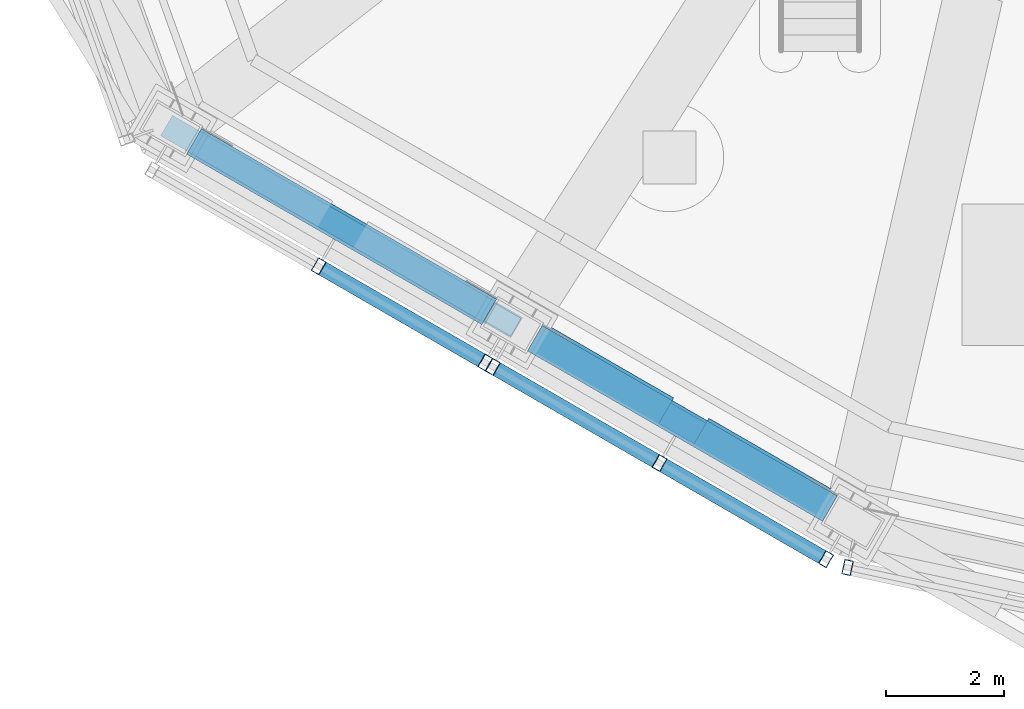
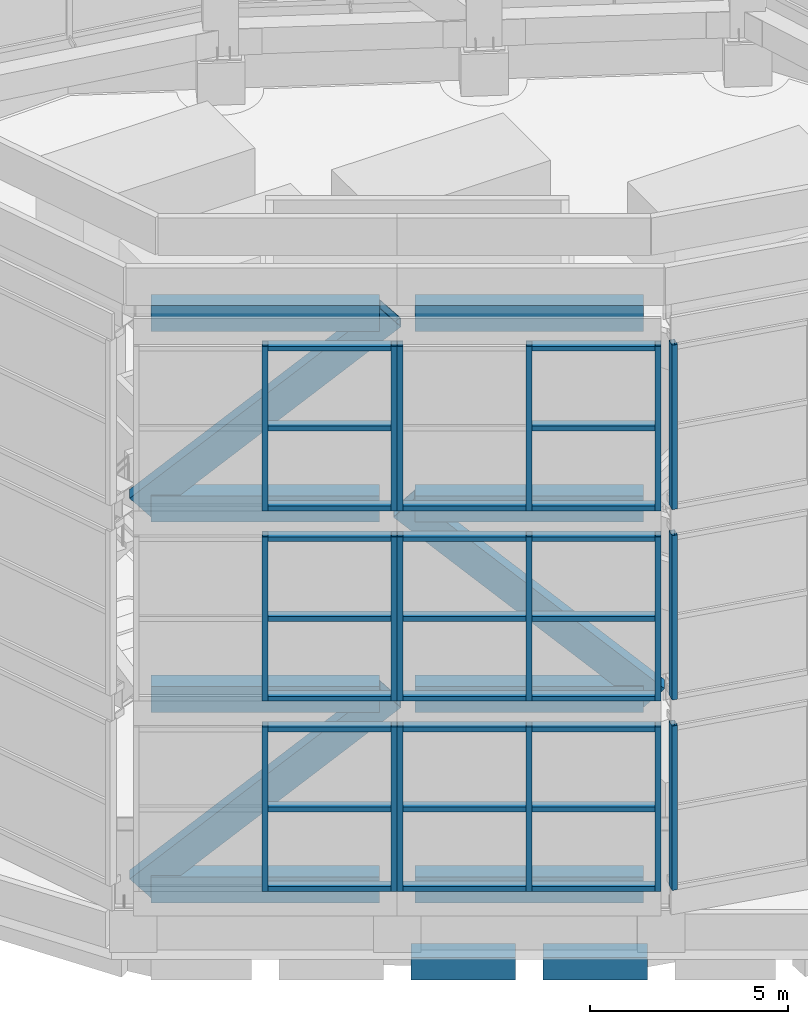
# One storey, part 2 of 46: 54 members, 2 beams, 9 elements without a shape of their own.
"""IFC4 building model written with IfcOpenShell, lengths in metres."""

from ifc_helpers import new_model, si_unit, direction, frame, origin, origin_2d, place, context, subcontext, project, spatial, rectangle, hollow_rectangle, extrude, material, material_profile, profile_set, type_object, element, aggregate, save


model = new_model("IFC4")

# Units and contexts
model_context = context("Model", 3, precision=1e-05, world=origin(), true_north=direction((0.0, 1.0)))
body_context = subcontext(model_context, "Body", "Model", "MODEL_VIEW")
ifc_project = project(units=[si_unit("LENGTHUNIT", "METRE"), si_unit("AREAUNIT", "SQUARE_METRE"), si_unit("VOLUMEUNIT", "CUBIC_METRE"), si_unit("PLANEANGLEUNIT", "RADIAN"), si_unit("MASSUNIT", "GRAM", prefix="KILO")], contexts=[model_context])

# Site, building, storey
site_placement = place(None, origin())
site = spatial("IfcSite", under=ifc_project, at=site_placement, CompositionType="ELEMENT")
building_placement = place(site_placement, origin())
building = spatial("IfcBuilding", under=site, at=building_placement, Name="Vanh Sen Convention Tower", CompositionType="ELEMENT")
storey_placement = place(building_placement, frame((0.0, 0.0, 305.0)))
storey = spatial("IfcBuildingStorey", under=building, at=storey_placement, Name="Roof level", CompositionType="ELEMENT", Elevation=305.0)

# Members
ifc_material_1 = material(Name="Steel S460", Category="steel")
ifc_material_profile_1 = material_profile(ifc_material_1, hollow_rectangle(XDim=0.39990234375, YDim=0.800048828125, WallThickness=0.02490234375, at=origin_2d()), Name="BOX 800X400X25")
ifc_profile_set_1 = profile_set([ifc_material_profile_1], Name="Steel S460")
member_type_1 = type_object("IfcMemberType", Name="Crown brace BOX 800X400X25", PredefinedType="BRACE", material=ifc_profile_set_1)
member_1_placement = place(storey_placement, frame((-15.779296875, -12.59814453125, 1.7451171875), z_axis=(0.633801071244, -0.365934709307, 0.681460190044), x_axis=(0.500009725469, 0.866019788709, 0.0)))
element("IfcMember", 1, at=member_1_placement, inside=storey, type_object=member_type_1, Name="CROWN FRAME brace tier 1 span 13", PredefinedType="BRACE", context=body_context, shape_type="SweptSolid", body=[
    extrude(hollow_rectangle(XDim=0.39990234375, YDim=0.800048828125, WallThickness=0.02490234375, at=origin_2d()), origin(), (0.0, 0.0, 1.0), 8.611083984375),
])
for number, where, z_axis, x_axis, name in (
    (2, (-10.0087890625, -15.929931640625, 13.481689453125), (0.633812363315, -0.365896509257, -0.681470199365), (0.49996389635, 0.866046247233, 0.0), "CROWN FRAME brace tier 2 span 14"),
    (3, (-15.779296875, -12.59814453125, 13.481689453125), (0.633788825979, -0.365927639316, 0.681475375086), (0.500009725469, 0.866019788709, 0.0), "CROWN FRAME brace tier 3 span 13"),
):
    element("IfcMember", number, at=place(storey_placement, frame(where, z_axis=z_axis, x_axis=x_axis)), inside=storey, type_object=member_type_1, Name=name, PredefinedType="BRACE", context=body_context, shape_type="SweptSolid", body=[
        extrude(hollow_rectangle(XDim=0.39990234375, YDim=0.800048828125, WallThickness=0.02490234375, at=origin_2d()), origin(), (0.0, 0.0, 1.0), 8.611328125),
    ])
ifc_material_profile_2 = material_profile(ifc_material_1, hollow_rectangle(XDim=0.5, YDim=0.800048828125, WallThickness=0.030029296875, at=origin_2d()), Name="BOX 800X500X30")
ifc_profile_set_2 = profile_set([ifc_material_profile_2], Name="Steel S460")
member_type_2 = type_object("IfcMemberType", Name="Crown ring beam BOX 800X500X30", PredefinedType="CHORD", material=ifc_profile_set_2)
member_2_placement = place(storey_placement, frame((-15.55029296875, -12.73046875, 1.7451171875), z_axis=(0.866017276446, -0.500014076698, 0.0), x_axis=(0.500014076698, 0.866017276446, 0.0)))
element("IfcMember", 4, at=member_2_placement, inside=storey, type_object=member_type_2, Name="CROWN FRAME ring beam 1 span 13", PredefinedType="CHORD", context=body_context, shape_type="SweptSolid", body=[
    extrude(hollow_rectangle(XDim=0.5, YDim=0.800048828125, WallThickness=0.030029296875, at=origin_2d()), origin(), (0.0, 0.0, 1.0), 5.773193359375),
])
member_3_placement = place(storey_placement, frame((-9.77978515625, -16.06201171875, 1.7451171875), z_axis=(0.866027848477, -0.499995765644, 0.0), x_axis=(0.499995765644, 0.866027848477, 0.0)))
element("IfcMember", 5, at=member_3_placement, inside=storey, type_object=member_type_2, Name="CROWN FRAME ring beam 1 span 14", PredefinedType="CHORD", context=body_context, shape_type="SweptSolid", body=[
    extrude(hollow_rectangle(XDim=0.5, YDim=0.800048828125, WallThickness=0.030029296875, at=origin_2d()), origin(), (0.0, 0.0, 1.0), 5.7734375),
])
member_4_placement = place(storey_placement, frame((-15.55029296875, -12.73046875, 7.61328125), z_axis=(0.866017276446, -0.500014076698, 0.0), x_axis=(0.500014076698, 0.866017276446, 0.0)))
element("IfcMember", 6, at=member_4_placement, inside=storey, type_object=member_type_2, Name="CROWN FRAME ring beam 2 span 13", PredefinedType="CHORD", context=body_context, shape_type="SweptSolid", body=[
    extrude(hollow_rectangle(XDim=0.5, YDim=0.800048828125, WallThickness=0.030029296875, at=origin_2d()), origin(), (0.0, 0.0, 1.0), 5.773193359375),
])
member_5_placement = place(storey_placement, frame((-9.77978515625, -16.06201171875, 7.61328125), z_axis=(0.866027848477, -0.499995765644, 0.0), x_axis=(0.499995765644, 0.866027848477, 0.0)))
element("IfcMember", 7, at=member_5_placement, inside=storey, type_object=member_type_2, Name="CROWN FRAME ring beam 2 span 14", PredefinedType="CHORD", context=body_context, shape_type="SweptSolid", body=[
    extrude(hollow_rectangle(XDim=0.5, YDim=0.800048828125, WallThickness=0.030029296875, at=origin_2d()), origin(), (0.0, 0.0, 1.0), 5.7734375),
])
member_6_placement = place(storey_placement, frame((-15.55029296875, -12.73046875, 13.481689453125), z_axis=(0.866017276446, -0.500014076698, 0.0), x_axis=(0.500014076698, 0.866017276446, 0.0)))
element("IfcMember", 8, at=member_6_placement, inside=storey, type_object=member_type_2, Name="CROWN FRAME ring beam 3 span 13", PredefinedType="CHORD", context=body_context, shape_type="SweptSolid", body=[
    extrude(hollow_rectangle(XDim=0.5, YDim=0.800048828125, WallThickness=0.030029296875, at=origin_2d()), origin(), (0.0, 0.0, 1.0), 5.773193359375),
])
member_7_placement = place(storey_placement, frame((-9.77978515625, -16.06201171875, 13.481689453125), z_axis=(0.866027848477, -0.499995765644, 0.0), x_axis=(0.499995765644, 0.866027848477, 0.0)))
element("IfcMember", 9, at=member_7_placement, inside=storey, type_object=member_type_2, Name="CROWN FRAME ring beam 3 span 14", PredefinedType="CHORD", context=body_context, shape_type="SweptSolid", body=[
    extrude(hollow_rectangle(XDim=0.5, YDim=0.800048828125, WallThickness=0.030029296875, at=origin_2d()), origin(), (0.0, 0.0, 1.0), 5.7734375),
])
member_8_placement = place(storey_placement, frame((-15.55029296875, -12.73046875, 19.35009765625), z_axis=(0.866017276446, -0.500014076698, 0.0), x_axis=(0.500014076698, 0.866017276446, 0.0)))
element("IfcMember", 10, at=member_8_placement, inside=storey, type_object=member_type_2, Name="CROWN FRAME ring beam 4 span 13", PredefinedType="CHORD", context=body_context, shape_type="SweptSolid", body=[
    extrude(hollow_rectangle(XDim=0.5, YDim=0.800048828125, WallThickness=0.030029296875, at=origin_2d()), origin(), (0.0, 0.0, 1.0), 5.773193359375),
])
member_9_placement = place(storey_placement, frame((-9.77978515625, -16.06201171875, 19.35009765625), z_axis=(0.866027848477, -0.499995765644, 0.0), x_axis=(0.499995765644, 0.866027848477, 0.0)))
element("IfcMember", 11, at=member_9_placement, inside=storey, type_object=member_type_2, Name="CROWN FRAME ring beam 4 span 14", PredefinedType="CHORD", context=body_context, shape_type="SweptSolid", body=[
    extrude(hollow_rectangle(XDim=0.5, YDim=0.800048828125, WallThickness=0.030029296875, at=origin_2d()), origin(), (0.0, 0.0, 1.0), 5.7734375),
])

# Curtain wall, members
ifc_material_2 = material(Name="Concrete C60/75", Category="concrete")
curtain_wall_type = type_object("IfcCurtainWallType", Name="Crown screen", PredefinedType="NOTDEFINED", material=ifc_material_2)
curtain_wall_1_placement = place(storey_placement, origin())
curtain_wall_1 = element("IfcCurtainWall", 12, at=curtain_wall_1_placement, inside=storey, type_object=curtain_wall_type, Name="CROWN SCREEN 13 tier 1", PredefinedType="NOTDEFINED")
ifc_material_3 = material(Name="Steel S355", Category="steel")
ifc_material_profile_3 = material_profile(ifc_material_3, hollow_rectangle(XDim=0.25, YDim=0.14990234375, WallThickness=0.008056640625, at=origin_2d()), Name="RHS 250X150X8")
ifc_profile_set_3 = profile_set([ifc_material_profile_3], Name="Steel S355")
member_type_3 = type_object("IfcMemberType", Name="Crown screen mullion RHS 250X150X8", PredefinedType="MULLION", material=ifc_profile_set_3)
member_10_placement = place(storey_placement, frame((-13.43798828125, -14.844970703125, 2.14501953125), z_axis=(0.0, 0.0, 1.0), x_axis=(0.500004787758, 0.866022639554, 0.0)))
member_10 = element("IfcMember", 13, at=member_10_placement, type_object=member_type_3, Name="CROWN SCREEN6 mullion 2", PredefinedType="MULLION", context=body_context, shape_type="SweptSolid", body=[
    extrude(hollow_rectangle(XDim=0.25, YDim=0.14990234375, WallThickness=0.008056640625, at=origin_2d()), origin(), (0.0, 0.0, 1.0), 5.068359375),
])
member_11_placement = place(storey_placement, frame((-10.617431640625, -16.473388671875, 2.14501953125), z_axis=(0.0, 0.0, 1.0), x_axis=(0.500004787758, 0.866022639554, 0.0)))
member_11 = element("IfcMember", 14, at=member_11_placement, type_object=member_type_3, Name="CROWN SCREEN6 mullion 3", PredefinedType="MULLION", context=body_context, shape_type="SweptSolid", body=[
    extrude(hollow_rectangle(XDim=0.25, YDim=0.14990234375, WallThickness=0.008056640625, at=origin_2d()), origin(), (0.0, 0.0, 1.0), 5.068359375),
])

curtain_wall_2_placement = place(storey_placement, origin())
curtain_wall_2 = element("IfcCurtainWall", 15, at=curtain_wall_2_placement, inside=storey, type_object=curtain_wall_type, Name="CROWN SCREEN 13 tier 2", PredefinedType="NOTDEFINED")
member_12_placement = place(storey_placement, frame((-13.43798828125, -14.844970703125, 8.01318359375), z_axis=(0.0, 0.0, 1.0), x_axis=(0.500004787758, 0.866022639554, 0.0)))
member_12 = element("IfcMember", 16, at=member_12_placement, type_object=member_type_3, Name="CROWN SCREEN6 mullion 2", PredefinedType="MULLION", context=body_context, shape_type="SweptSolid", body=[
    extrude(hollow_rectangle(XDim=0.25, YDim=0.14990234375, WallThickness=0.008056640625, at=origin_2d()), origin(), (0.0, 0.0, 1.0), 5.068603515625),
])
member_13_placement = place(storey_placement, frame((-10.617431640625, -16.473388671875, 8.01318359375), z_axis=(0.0, 0.0, 1.0), x_axis=(0.500004787758, 0.866022639554, 0.0)))
member_13 = element("IfcMember", 17, at=member_13_placement, type_object=member_type_3, Name="CROWN SCREEN6 mullion 3", PredefinedType="MULLION", context=body_context, shape_type="SweptSolid", body=[
    extrude(hollow_rectangle(XDim=0.25, YDim=0.14990234375, WallThickness=0.008056640625, at=origin_2d()), origin(), (0.0, 0.0, 1.0), 5.068603515625),
])

curtain_wall_3_placement = place(storey_placement, origin())
curtain_wall_3 = element("IfcCurtainWall", 18, at=curtain_wall_3_placement, inside=storey, type_object=curtain_wall_type, Name="CROWN SCREEN 13 tier 3", PredefinedType="NOTDEFINED")
member_14_placement = place(storey_placement, frame((-13.43798828125, -14.844970703125, 13.881591796875), z_axis=(0.0, 0.0, 1.0), x_axis=(0.500004787758, 0.866022639554, 0.0)))
member_14 = element("IfcMember", 19, at=member_14_placement, type_object=member_type_3, Name="CROWN SCREEN6 mullion 2", PredefinedType="MULLION", context=body_context, shape_type="SweptSolid", body=[
    extrude(hollow_rectangle(XDim=0.25, YDim=0.14990234375, WallThickness=0.008056640625, at=origin_2d()), origin(), (0.0, 0.0, 1.0), 5.068359375),
])
member_15_placement = place(storey_placement, frame((-10.617431640625, -16.473388671875, 13.881591796875), z_axis=(0.0, 0.0, 1.0), x_axis=(0.500004787758, 0.866022639554, 0.0)))
member_15 = element("IfcMember", 20, at=member_15_placement, type_object=member_type_3, Name="CROWN SCREEN6 mullion 3", PredefinedType="MULLION", context=body_context, shape_type="SweptSolid", body=[
    extrude(hollow_rectangle(XDim=0.25, YDim=0.14990234375, WallThickness=0.008056640625, at=origin_2d()), origin(), (0.0, 0.0, 1.0), 5.068359375),
])

curtain_wall_4_placement = place(storey_placement, origin())
curtain_wall_4 = element("IfcCurtainWall", 21, at=curtain_wall_4_placement, inside=storey, type_object=curtain_wall_type, Name="CROWN SCREEN 14 tier 1", PredefinedType="NOTDEFINED")
member_16_placement = place(storey_placement, frame((-10.487548828125, -16.54833984375, 2.14501953125), z_axis=(0.0, 0.0, 1.0), x_axis=(0.499993532068, 0.866029138014, 0.0)))
member_16 = element("IfcMember", 22, at=member_16_placement, type_object=member_type_3, Name="CROWN SCREEN6 mullion 1", PredefinedType="MULLION", context=body_context, shape_type="SweptSolid", body=[
    extrude(hollow_rectangle(XDim=0.25, YDim=0.14990234375, WallThickness=0.008056640625, at=origin_2d()), origin(), (0.0, 0.0, 1.0), 5.068359375),
])
member_17_placement = place(storey_placement, frame((-7.667236328125, -18.176513671875, 2.14501953125), z_axis=(0.0, 0.0, 1.0), x_axis=(0.499993532068, 0.866029138014, 0.0)))
member_17 = element("IfcMember", 23, at=member_17_placement, type_object=member_type_3, Name="CROWN SCREEN6 mullion 2", PredefinedType="MULLION", context=body_context, shape_type="SweptSolid", body=[
    extrude(hollow_rectangle(XDim=0.25, YDim=0.14990234375, WallThickness=0.008056640625, at=origin_2d()), origin(), (0.0, 0.0, 1.0), 5.068359375),
])
member_18_placement = place(storey_placement, frame((-4.846923828125, -19.804931640625, 2.14501953125), z_axis=(0.0, 0.0, 1.0), x_axis=(0.499993532068, 0.866029138014, 0.0)))
member_18 = element("IfcMember", 24, at=member_18_placement, type_object=member_type_3, Name="CROWN SCREEN6 mullion 3", PredefinedType="MULLION", context=body_context, shape_type="SweptSolid", body=[
    extrude(hollow_rectangle(XDim=0.25, YDim=0.14990234375, WallThickness=0.008056640625, at=origin_2d()), origin(), (0.0, 0.0, 1.0), 5.068359375),
])

curtain_wall_5_placement = place(storey_placement, origin())
curtain_wall_5 = element("IfcCurtainWall", 25, at=curtain_wall_5_placement, inside=storey, type_object=curtain_wall_type, Name="CROWN SCREEN 14 tier 2", PredefinedType="NOTDEFINED")
member_19_placement = place(storey_placement, frame((-10.487548828125, -16.54833984375, 8.01318359375), z_axis=(0.0, 0.0, 1.0), x_axis=(0.499993532068, 0.866029138014, 0.0)))
member_19 = element("IfcMember", 26, at=member_19_placement, type_object=member_type_3, Name="CROWN SCREEN6 mullion 1", PredefinedType="MULLION", context=body_context, shape_type="SweptSolid", body=[
    extrude(hollow_rectangle(XDim=0.25, YDim=0.14990234375, WallThickness=0.008056640625, at=origin_2d()), origin(), (0.0, 0.0, 1.0), 5.068603515625),
])
member_20_placement = place(storey_placement, frame((-7.667236328125, -18.176513671875, 8.01318359375), z_axis=(0.0, 0.0, 1.0), x_axis=(0.499993532068, 0.866029138014, 0.0)))
member_20 = element("IfcMember", 27, at=member_20_placement, type_object=member_type_3, Name="CROWN SCREEN6 mullion 2", PredefinedType="MULLION", context=body_context, shape_type="SweptSolid", body=[
    extrude(hollow_rectangle(XDim=0.25, YDim=0.14990234375, WallThickness=0.008056640625, at=origin_2d()), origin(), (0.0, 0.0, 1.0), 5.068603515625),
])
member_21_placement = place(storey_placement, frame((-4.846923828125, -19.804931640625, 8.01318359375), z_axis=(0.0, 0.0, 1.0), x_axis=(0.499993532068, 0.866029138014, 0.0)))
member_21 = element("IfcMember", 28, at=member_21_placement, type_object=member_type_3, Name="CROWN SCREEN6 mullion 3", PredefinedType="MULLION", context=body_context, shape_type="SweptSolid", body=[
    extrude(hollow_rectangle(XDim=0.25, YDim=0.14990234375, WallThickness=0.008056640625, at=origin_2d()), origin(), (0.0, 0.0, 1.0), 5.068603515625),
])

curtain_wall_6_placement = place(storey_placement, origin())
curtain_wall_6 = element("IfcCurtainWall", 29, at=curtain_wall_6_placement, inside=storey, type_object=curtain_wall_type, Name="CROWN SCREEN 14 tier 3", PredefinedType="NOTDEFINED")
member_22_placement = place(storey_placement, frame((-10.487548828125, -16.54833984375, 13.881591796875), z_axis=(0.0, 0.0, 1.0), x_axis=(0.499993532068, 0.866029138014, 0.0)))
member_22 = element("IfcMember", 30, at=member_22_placement, type_object=member_type_3, Name="CROWN SCREEN6 mullion 1", PredefinedType="MULLION", context=body_context, shape_type="SweptSolid", body=[
    extrude(hollow_rectangle(XDim=0.25, YDim=0.14990234375, WallThickness=0.008056640625, at=origin_2d()), origin(), (0.0, 0.0, 1.0), 5.068359375),
])
member_23_placement = place(storey_placement, frame((-7.667236328125, -18.176513671875, 13.881591796875), z_axis=(0.0, 0.0, 1.0), x_axis=(0.499993532068, 0.866029138014, 0.0)))
member_23 = element("IfcMember", 31, at=member_23_placement, type_object=member_type_3, Name="CROWN SCREEN6 mullion 2", PredefinedType="MULLION", context=body_context, shape_type="SweptSolid", body=[
    extrude(hollow_rectangle(XDim=0.25, YDim=0.14990234375, WallThickness=0.008056640625, at=origin_2d()), origin(), (0.0, 0.0, 1.0), 5.068359375),
])
member_24_placement = place(storey_placement, frame((-4.846923828125, -19.804931640625, 13.881591796875), z_axis=(0.0, 0.0, 1.0), x_axis=(0.499993532068, 0.866029138014, 0.0)))
member_24 = element("IfcMember", 32, at=member_24_placement, type_object=member_type_3, Name="CROWN SCREEN6 mullion 3", PredefinedType="MULLION", context=body_context, shape_type="SweptSolid", body=[
    extrude(hollow_rectangle(XDim=0.25, YDim=0.14990234375, WallThickness=0.008056640625, at=origin_2d()), origin(), (0.0, 0.0, 1.0), 5.068359375),
])

# Curtain wall, member
curtain_wall_7_placement = place(storey_placement, origin())
curtain_wall_7 = element("IfcCurtainWall", 33, at=curtain_wall_7_placement, inside=storey, type_object=curtain_wall_type, Name="CROWN SCREEN 15 tier 1", PredefinedType="NOTDEFINED")
member_25_placement = place(storey_placement, frame((-4.4833984375, -19.944580078125, 2.14501953125), z_axis=(0.0, 0.0, 1.0), x_axis=(0.209235808418, 0.977865213859, 0.0)))
member_25 = element("IfcMember", 34, at=member_25_placement, type_object=member_type_3, Name="CROWN SCREEN6 mullion 1", PredefinedType="MULLION", context=body_context, shape_type="SweptSolid", body=[
    extrude(hollow_rectangle(XDim=0.25, YDim=0.14990234375, WallThickness=0.008056640625, at=origin_2d()), origin(), (0.0, 0.0, 1.0), 5.068359375),
])
aggregate(curtain_wall_7, [member_25])

curtain_wall_8_placement = place(storey_placement, origin())
curtain_wall_8 = element("IfcCurtainWall", 35, at=curtain_wall_8_placement, inside=storey, type_object=curtain_wall_type, Name="CROWN SCREEN 15 tier 2", PredefinedType="NOTDEFINED")
member_26_placement = place(storey_placement, frame((-4.4833984375, -19.944580078125, 8.01318359375), z_axis=(0.0, 0.0, 1.0), x_axis=(0.209235808418, 0.977865213859, 0.0)))
member_26 = element("IfcMember", 36, at=member_26_placement, type_object=member_type_3, Name="CROWN SCREEN6 mullion 1", PredefinedType="MULLION", context=body_context, shape_type="SweptSolid", body=[
    extrude(hollow_rectangle(XDim=0.25, YDim=0.14990234375, WallThickness=0.008056640625, at=origin_2d()), origin(), (0.0, 0.0, 1.0), 5.068603515625),
])
aggregate(curtain_wall_8, [member_26])

curtain_wall_9_placement = place(storey_placement, origin())
curtain_wall_9 = element("IfcCurtainWall", 37, at=curtain_wall_9_placement, inside=storey, type_object=curtain_wall_type, Name="CROWN SCREEN 15 tier 3", PredefinedType="NOTDEFINED")
member_27_placement = place(storey_placement, frame((-4.4833984375, -19.944580078125, 13.881591796875), z_axis=(0.0, 0.0, 1.0), x_axis=(0.209235808418, 0.977865213859, 0.0)))
member_27 = element("IfcMember", 38, at=member_27_placement, type_object=member_type_3, Name="CROWN SCREEN6 mullion 1", PredefinedType="MULLION", context=body_context, shape_type="SweptSolid", body=[
    extrude(hollow_rectangle(XDim=0.25, YDim=0.14990234375, WallThickness=0.008056640625, at=origin_2d()), origin(), (0.0, 0.0, 1.0), 5.068359375),
])
aggregate(curtain_wall_9, [member_27])

# Member
ifc_material_profile_4 = material_profile(ifc_material_3, hollow_rectangle(XDim=0.25, YDim=0.14990234375, WallThickness=0.008056640625, at=origin_2d()), Name="RHS 250X150X8")
ifc_profile_set_4 = profile_set([ifc_material_profile_4], Name="Steel S355")
member_type_4 = type_object("IfcMemberType", Name="Crown screen transom RHS 250X150X8", PredefinedType="USERDEFINED", material=ifc_profile_set_4)
member_28_placement = place(storey_placement, frame((-13.373046875, -14.882568359375, 2.219970703125), z_axis=(0.866039014152, -0.499976425411, 0.0), x_axis=(0.499976425411, 0.866039014152, 0.0)))
member_28 = element("IfcMember", 39, at=member_28_placement, type_object=member_type_4, Name="CROWN SCREEN6 transom 2.1", ObjectType="TRANSOM", PredefinedType="USERDEFINED", context=body_context, shape_type="SweptSolid", body=[
    extrude(hollow_rectangle(XDim=0.25, YDim=0.14990234375, WallThickness=0.008056640625, at=origin_2d()), origin(), (0.0, 0.0, 1.0), 3.106689453125),
])

member_29_placement = place(storey_placement, frame((-13.373046875, -14.882568359375, 4.67919921875), z_axis=(0.866039014152, -0.499976425411, 0.0), x_axis=(0.499976425411, 0.866039014152, 0.0)))
member_29 = element("IfcMember", 40, at=member_29_placement, type_object=member_type_4, Name="CROWN SCREEN6 transom 2.2", ObjectType="TRANSOM", PredefinedType="USERDEFINED", context=body_context, shape_type="SweptSolid", body=[
    extrude(hollow_rectangle(XDim=0.25, YDim=0.14990234375, WallThickness=0.008056640625, at=origin_2d()), origin(), (0.0, 0.0, 1.0), 3.106689453125),
])

member_30_placement = place(storey_placement, frame((-13.373046875, -14.882568359375, 7.13818359375), z_axis=(0.866039014152, -0.499976425411, 0.0), x_axis=(0.499976425411, 0.866039014152, 0.0)))
member_30 = element("IfcMember", 41, at=member_30_placement, type_object=member_type_4, Name="CROWN SCREEN6 transom 2.3", ObjectType="TRANSOM", PredefinedType="USERDEFINED", context=body_context, shape_type="SweptSolid", body=[
    extrude(hollow_rectangle(XDim=0.25, YDim=0.14990234375, WallThickness=0.008056640625, at=origin_2d()), origin(), (0.0, 0.0, 1.0), 3.106689453125),
])

aggregate(curtain_wall_1, [member_10, member_11, member_28, member_29, member_30])

member_31_placement = place(storey_placement, frame((-13.373046875, -14.882568359375, 8.08837890625), z_axis=(0.866039014152, -0.499976425411, 0.0), x_axis=(0.499976425411, 0.866039014152, 0.0)))
member_31 = element("IfcMember", 42, at=member_31_placement, type_object=member_type_4, Name="CROWN SCREEN6 transom 2.1", ObjectType="TRANSOM", PredefinedType="USERDEFINED", context=body_context, shape_type="SweptSolid", body=[
    extrude(hollow_rectangle(XDim=0.25, YDim=0.14990234375, WallThickness=0.008056640625, at=origin_2d()), origin(), (0.0, 0.0, 1.0), 3.106689453125),
])

member_32_placement = place(storey_placement, frame((-13.373046875, -14.882568359375, 10.547607421875), z_axis=(0.866039014152, -0.499976425411, 0.0), x_axis=(0.499976425411, 0.866039014152, 0.0)))
member_32 = element("IfcMember", 43, at=member_32_placement, type_object=member_type_4, Name="CROWN SCREEN6 transom 2.2", ObjectType="TRANSOM", PredefinedType="USERDEFINED", context=body_context, shape_type="SweptSolid", body=[
    extrude(hollow_rectangle(XDim=0.25, YDim=0.14990234375, WallThickness=0.008056640625, at=origin_2d()), origin(), (0.0, 0.0, 1.0), 3.106689453125),
])

member_33_placement = place(storey_placement, frame((-13.373046875, -14.882568359375, 13.006591796875), z_axis=(0.866039014152, -0.499976425411, 0.0), x_axis=(0.499976425411, 0.866039014152, 0.0)))
member_33 = element("IfcMember", 44, at=member_33_placement, type_object=member_type_4, Name="CROWN SCREEN6 transom 2.3", ObjectType="TRANSOM", PredefinedType="USERDEFINED", context=body_context, shape_type="SweptSolid", body=[
    extrude(hollow_rectangle(XDim=0.25, YDim=0.14990234375, WallThickness=0.008056640625, at=origin_2d()), origin(), (0.0, 0.0, 1.0), 3.106689453125),
])

aggregate(curtain_wall_2, [member_12, member_13, member_31, member_32, member_33])

member_34_placement = place(storey_placement, frame((-13.373046875, -14.882568359375, 13.956787109375), z_axis=(0.866039014152, -0.499976425411, 0.0), x_axis=(0.499976425411, 0.866039014152, 0.0)))
member_34 = element("IfcMember", 45, at=member_34_placement, type_object=member_type_4, Name="CROWN SCREEN6 transom 2.1", ObjectType="TRANSOM", PredefinedType="USERDEFINED", context=body_context, shape_type="SweptSolid", body=[
    extrude(hollow_rectangle(XDim=0.25, YDim=0.14990234375, WallThickness=0.008056640625, at=origin_2d()), origin(), (0.0, 0.0, 1.0), 3.106689453125),
])

member_35_placement = place(storey_placement, frame((-13.373046875, -14.882568359375, 16.415771484375), z_axis=(0.866039014152, -0.499976425411, 0.0), x_axis=(0.499976425411, 0.866039014152, 0.0)))
member_35 = element("IfcMember", 46, at=member_35_placement, type_object=member_type_4, Name="CROWN SCREEN6 transom 2.2", ObjectType="TRANSOM", PredefinedType="USERDEFINED", context=body_context, shape_type="SweptSolid", body=[
    extrude(hollow_rectangle(XDim=0.25, YDim=0.14990234375, WallThickness=0.008056640625, at=origin_2d()), origin(), (0.0, 0.0, 1.0), 3.106689453125),
])

member_36_placement = place(storey_placement, frame((-13.373046875, -14.882568359375, 18.875), z_axis=(0.866039014152, -0.499976425411, 0.0), x_axis=(0.499976425411, 0.866039014152, 0.0)))
member_36 = element("IfcMember", 47, at=member_36_placement, type_object=member_type_4, Name="CROWN SCREEN6 transom 2.3", ObjectType="TRANSOM", PredefinedType="USERDEFINED", context=body_context, shape_type="SweptSolid", body=[
    extrude(hollow_rectangle(XDim=0.25, YDim=0.14990234375, WallThickness=0.008056640625, at=origin_2d()), origin(), (0.0, 0.0, 1.0), 3.106689453125),
])

aggregate(curtain_wall_3, [member_14, member_15, member_34, member_35, member_36])

member_37_placement = place(storey_placement, frame((-10.422607421875, -16.585693359375, 2.219970703125), z_axis=(0.86600498498, -0.500035364739, 0.0), x_axis=(0.500035364739, 0.86600498498, 0.0)))
member_37 = element("IfcMember", 48, at=member_37_placement, type_object=member_type_4, Name="CROWN SCREEN6 transom 1.1", ObjectType="TRANSOM", PredefinedType="USERDEFINED", context=body_context, shape_type="SweptSolid", body=[
    extrude(hollow_rectangle(XDim=0.25, YDim=0.14990234375, WallThickness=0.008056640625, at=origin_2d()), origin(), (0.0, 0.0, 1.0), 3.106689453125),
])

member_38_placement = place(storey_placement, frame((-10.422607421875, -16.585693359375, 4.67919921875), z_axis=(0.86600498498, -0.500035364739, 0.0), x_axis=(0.500035364739, 0.86600498498, 0.0)))
member_38 = element("IfcMember", 49, at=member_38_placement, type_object=member_type_4, Name="CROWN SCREEN6 transom 1.2", ObjectType="TRANSOM", PredefinedType="USERDEFINED", context=body_context, shape_type="SweptSolid", body=[
    extrude(hollow_rectangle(XDim=0.25, YDim=0.14990234375, WallThickness=0.008056640625, at=origin_2d()), origin(), (0.0, 0.0, 1.0), 3.106689453125),
])

member_39_placement = place(storey_placement, frame((-10.422607421875, -16.585693359375, 7.13818359375), z_axis=(0.86600498498, -0.500035364739, 0.0), x_axis=(0.500035364739, 0.86600498498, 0.0)))
member_39 = element("IfcMember", 50, at=member_39_placement, type_object=member_type_4, Name="CROWN SCREEN6 transom 1.3", ObjectType="TRANSOM", PredefinedType="USERDEFINED", context=body_context, shape_type="SweptSolid", body=[
    extrude(hollow_rectangle(XDim=0.25, YDim=0.14990234375, WallThickness=0.008056640625, at=origin_2d()), origin(), (0.0, 0.0, 1.0), 3.106689453125),
])

member_40_placement = place(storey_placement, frame((-7.602294921875, -18.214111328125, 2.219970703125), z_axis=(0.866039014152, -0.499976425411, 0.0), x_axis=(0.499976425411, 0.866039014152, 0.0)))
member_40 = element("IfcMember", 51, at=member_40_placement, type_object=member_type_4, Name="CROWN SCREEN6 transom 2.1", ObjectType="TRANSOM", PredefinedType="USERDEFINED", context=body_context, shape_type="SweptSolid", body=[
    extrude(hollow_rectangle(XDim=0.25, YDim=0.14990234375, WallThickness=0.008056640625, at=origin_2d()), origin(), (0.0, 0.0, 1.0), 3.106689453125),
])

member_41_placement = place(storey_placement, frame((-7.602294921875, -18.214111328125, 4.67919921875), z_axis=(0.866039014152, -0.499976425411, 0.0), x_axis=(0.499976425411, 0.866039014152, 0.0)))
member_41 = element("IfcMember", 52, at=member_41_placement, type_object=member_type_4, Name="CROWN SCREEN6 transom 2.2", ObjectType="TRANSOM", PredefinedType="USERDEFINED", context=body_context, shape_type="SweptSolid", body=[
    extrude(hollow_rectangle(XDim=0.25, YDim=0.14990234375, WallThickness=0.008056640625, at=origin_2d()), origin(), (0.0, 0.0, 1.0), 3.106689453125),
])

member_42_placement = place(storey_placement, frame((-7.602294921875, -18.214111328125, 7.13818359375), z_axis=(0.866039014152, -0.499976425411, 0.0), x_axis=(0.499976425411, 0.866039014152, 0.0)))
member_42 = element("IfcMember", 53, at=member_42_placement, type_object=member_type_4, Name="CROWN SCREEN6 transom 2.3", ObjectType="TRANSOM", PredefinedType="USERDEFINED", context=body_context, shape_type="SweptSolid", body=[
    extrude(hollow_rectangle(XDim=0.25, YDim=0.14990234375, WallThickness=0.008056640625, at=origin_2d()), origin(), (0.0, 0.0, 1.0), 3.106689453125),
])

aggregate(curtain_wall_4, [member_16, member_17, member_18, member_37, member_38, member_39, member_40, member_41, member_42])

member_43_placement = place(storey_placement, frame((-10.422607421875, -16.585693359375, 8.08837890625), z_axis=(0.86600498498, -0.500035364739, 0.0), x_axis=(0.500035364739, 0.86600498498, 0.0)))
member_43 = element("IfcMember", 54, at=member_43_placement, type_object=member_type_4, Name="CROWN SCREEN6 transom 1.1", ObjectType="TRANSOM", PredefinedType="USERDEFINED", context=body_context, shape_type="SweptSolid", body=[
    extrude(hollow_rectangle(XDim=0.25, YDim=0.14990234375, WallThickness=0.008056640625, at=origin_2d()), origin(), (0.0, 0.0, 1.0), 3.106689453125),
])

member_44_placement = place(storey_placement, frame((-10.422607421875, -16.585693359375, 10.547607421875), z_axis=(0.86600498498, -0.500035364739, 0.0), x_axis=(0.500035364739, 0.86600498498, 0.0)))
member_44 = element("IfcMember", 55, at=member_44_placement, type_object=member_type_4, Name="CROWN SCREEN6 transom 1.2", ObjectType="TRANSOM", PredefinedType="USERDEFINED", context=body_context, shape_type="SweptSolid", body=[
    extrude(hollow_rectangle(XDim=0.25, YDim=0.14990234375, WallThickness=0.008056640625, at=origin_2d()), origin(), (0.0, 0.0, 1.0), 3.106689453125),
])

member_45_placement = place(storey_placement, frame((-10.422607421875, -16.585693359375, 13.006591796875), z_axis=(0.86600498498, -0.500035364739, 0.0), x_axis=(0.500035364739, 0.86600498498, 0.0)))
member_45 = element("IfcMember", 56, at=member_45_placement, type_object=member_type_4, Name="CROWN SCREEN6 transom 1.3", ObjectType="TRANSOM", PredefinedType="USERDEFINED", context=body_context, shape_type="SweptSolid", body=[
    extrude(hollow_rectangle(XDim=0.25, YDim=0.14990234375, WallThickness=0.008056640625, at=origin_2d()), origin(), (0.0, 0.0, 1.0), 3.106689453125),
])

member_46_placement = place(storey_placement, frame((-7.602294921875, -18.214111328125, 8.08837890625), z_axis=(0.866039014152, -0.499976425411, 0.0), x_axis=(0.499976425411, 0.866039014152, 0.0)))
member_46 = element("IfcMember", 57, at=member_46_placement, type_object=member_type_4, Name="CROWN SCREEN6 transom 2.1", ObjectType="TRANSOM", PredefinedType="USERDEFINED", context=body_context, shape_type="SweptSolid", body=[
    extrude(hollow_rectangle(XDim=0.25, YDim=0.14990234375, WallThickness=0.008056640625, at=origin_2d()), origin(), (0.0, 0.0, 1.0), 3.106689453125),
])

member_47_placement = place(storey_placement, frame((-7.602294921875, -18.214111328125, 10.547607421875), z_axis=(0.866039014152, -0.499976425411, 0.0), x_axis=(0.499976425411, 0.866039014152, 0.0)))
member_47 = element("IfcMember", 58, at=member_47_placement, type_object=member_type_4, Name="CROWN SCREEN6 transom 2.2", ObjectType="TRANSOM", PredefinedType="USERDEFINED", context=body_context, shape_type="SweptSolid", body=[
    extrude(hollow_rectangle(XDim=0.25, YDim=0.14990234375, WallThickness=0.008056640625, at=origin_2d()), origin(), (0.0, 0.0, 1.0), 3.106689453125),
])

member_48_placement = place(storey_placement, frame((-7.602294921875, -18.214111328125, 13.006591796875), z_axis=(0.866039014152, -0.499976425411, 0.0), x_axis=(0.499976425411, 0.866039014152, 0.0)))
member_48 = element("IfcMember", 59, at=member_48_placement, type_object=member_type_4, Name="CROWN SCREEN6 transom 2.3", ObjectType="TRANSOM", PredefinedType="USERDEFINED", context=body_context, shape_type="SweptSolid", body=[
    extrude(hollow_rectangle(XDim=0.25, YDim=0.14990234375, WallThickness=0.008056640625, at=origin_2d()), origin(), (0.0, 0.0, 1.0), 3.106689453125),
])

aggregate(curtain_wall_5, [member_19, member_20, member_21, member_43, member_44, member_45, member_46, member_47, member_48])

member_49_placement = place(storey_placement, frame((-10.422607421875, -16.585693359375, 13.956787109375), z_axis=(0.86600498498, -0.500035364739, 0.0), x_axis=(0.500035364739, 0.86600498498, 0.0)))
member_49 = element("IfcMember", 60, at=member_49_placement, type_object=member_type_4, Name="CROWN SCREEN6 transom 1.1", ObjectType="TRANSOM", PredefinedType="USERDEFINED", context=body_context, shape_type="SweptSolid", body=[
    extrude(hollow_rectangle(XDim=0.25, YDim=0.14990234375, WallThickness=0.008056640625, at=origin_2d()), origin(), (0.0, 0.0, 1.0), 3.106689453125),
])

member_50_placement = place(storey_placement, frame((-7.602294921875, -18.214111328125, 13.956787109375), z_axis=(0.866039014152, -0.499976425411, 0.0), x_axis=(0.499976425411, 0.866039014152, 0.0)))
member_50 = element("IfcMember", 61, at=member_50_placement, type_object=member_type_4, Name="CROWN SCREEN6 transom 2.1", ObjectType="TRANSOM", PredefinedType="USERDEFINED", context=body_context, shape_type="SweptSolid", body=[
    extrude(hollow_rectangle(XDim=0.25, YDim=0.14990234375, WallThickness=0.008056640625, at=origin_2d()), origin(), (0.0, 0.0, 1.0), 3.106689453125),
])

member_51_placement = place(storey_placement, frame((-7.602294921875, -18.214111328125, 16.415771484375), z_axis=(0.866039014152, -0.499976425411, 0.0), x_axis=(0.499976425411, 0.866039014152, 0.0)))
member_51 = element("IfcMember", 62, at=member_51_placement, type_object=member_type_4, Name="CROWN SCREEN6 transom 2.2", ObjectType="TRANSOM", PredefinedType="USERDEFINED", context=body_context, shape_type="SweptSolid", body=[
    extrude(hollow_rectangle(XDim=0.25, YDim=0.14990234375, WallThickness=0.008056640625, at=origin_2d()), origin(), (0.0, 0.0, 1.0), 3.106689453125),
])

member_52_placement = place(storey_placement, frame((-7.602294921875, -18.214111328125, 18.875), z_axis=(0.866039014152, -0.499976425411, 0.0), x_axis=(0.499976425411, 0.866039014152, 0.0)))
member_52 = element("IfcMember", 63, at=member_52_placement, type_object=member_type_4, Name="CROWN SCREEN6 transom 2.3", ObjectType="TRANSOM", PredefinedType="USERDEFINED", context=body_context, shape_type="SweptSolid", body=[
    extrude(hollow_rectangle(XDim=0.25, YDim=0.14990234375, WallThickness=0.008056640625, at=origin_2d()), origin(), (0.0, 0.0, 1.0), 3.106689453125),
])

aggregate(curtain_wall_6, [member_22, member_23, member_24, member_49, member_50, member_51, member_52])

# Beams
ifc_material_4 = material(Name="Concrete C50/60", Category="concrete")
ifc_material_profile_5 = material_profile(ifc_material_4, rectangle(XDim=0.60009765625, YDim=0.699951171875, at=origin_2d()), Name="RC 600X700")
ifc_profile_set_5 = profile_set([ifc_material_profile_5], Name="Concrete C50/60")
beam_type = type_object("IfcBeamType", Name="Spandrel beam 600 x 700", PredefinedType="SPANDREL", material=ifc_profile_set_5)
for number, where, z_axis, x_axis, name in (
    (64, (-9.8662109375, -16.01220703125, -0.64990234375), (0.866016279763, -0.500015802937, 0.0), (0.500015802937, 0.866016279763, 0.0), "Spandrel beam 27 Roof level"),
    (65, (-6.98095703125, -17.677978515625, -0.64990234375), (0.866016279763, -0.500015802937, 0.0), (0.500015802937, 0.866016279763, 0.0), "Spandrel beam 28 Roof level"),
):
    element("IfcBeam", number, at=place(storey_placement, frame(where, z_axis=z_axis, x_axis=x_axis)), inside=storey, type_object=beam_type, Name=name, PredefinedType="SPANDREL", context=body_context, shape_type="SweptSolid", body=[
        extrude(rectangle(XDim=0.60009765625, YDim=0.699951171875, at=origin_2d()), origin(), (0.0, 0.0, 1.0), 2.6416015625),
    ])

save(model, "model.ifc")
